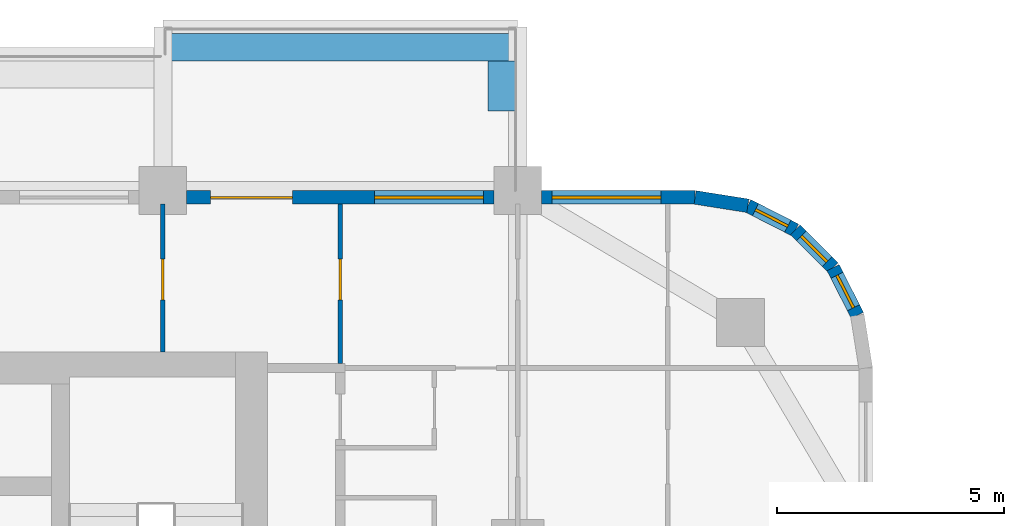
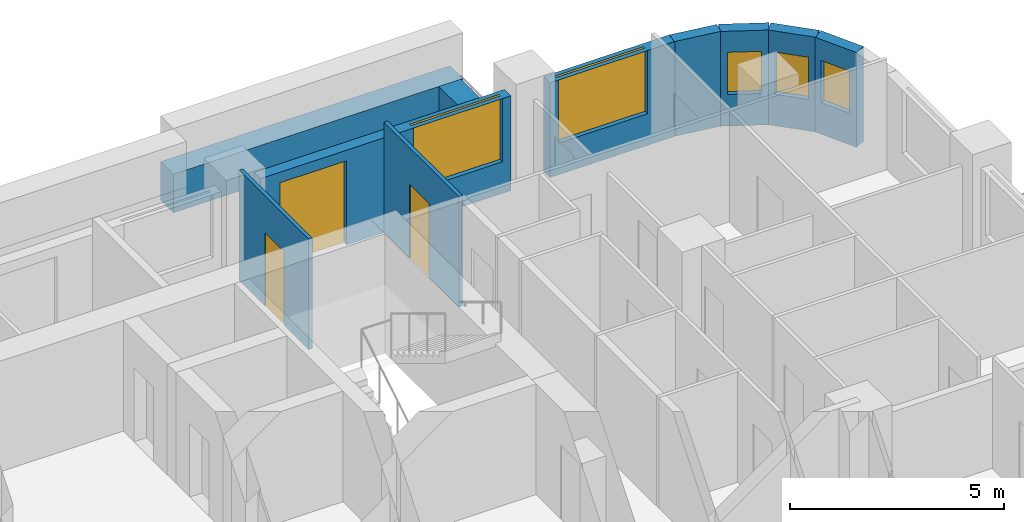
# One storey, part 14 of 18: 10 walls, 5 windows, 3 doors, 8 openings.
"""IFC4 building model written with IfcOpenShell, lengths in metres."""

from ifc_helpers import new_model, si_unit, direction, frame, frame_2d, origin, place, context, subcontext, project, spatial, rectangle, extrude, material, layer, layer_set, type_object, element, fill, save


model = new_model("IFC4")

# Units and contexts
model_context = context("Model", 3, precision=1e-05, world=origin(), true_north=direction((0.0, 1.0)))
body_context = subcontext(model_context, "Body", "Model", "MODEL_VIEW")
ifc_project = project(units=[si_unit("LENGTHUNIT", "METRE"), si_unit("AREAUNIT", "SQUARE_METRE"), si_unit("VOLUMEUNIT", "CUBIC_METRE"), si_unit("PLANEANGLEUNIT", "RADIAN"), si_unit("MASSUNIT", "GRAM", prefix="KILO")], contexts=[model_context])

# Site, building, storey
site_placement = place(None, origin())
site = spatial("IfcSite", under=ifc_project, at=site_placement, CompositionType="ELEMENT")
building_placement = place(site_placement, origin())
building = spatial("IfcBuilding", under=site, at=building_placement, Name="Ludao Terraces", CompositionType="ELEMENT")
storey_placement = place(building_placement, frame((0.0, 0.0, 29.699951171875)))
storey = spatial("IfcBuildingStorey", under=building, at=storey_placement, Name="L07", CompositionType="ELEMENT", Elevation=29.699951171875)

# Walls
ifc_material_1 = material(Name="Concrete C40", Category="concrete")
ifc_layer_1 = layer(ifc_material_1, 0.60009765625)
ifc_layer_set_1 = layer_set([ifc_layer_1], Name="ENV Planter trough 600")
wall_type_1 = type_object("IfcWallType", Name="ENV Planter trough 600", PredefinedType="USERDEFINED", material=ifc_layer_set_1)
wall_1_placement = place(storey_placement, frame((92.800048828125, 91.550048828125, 0.0), z_axis=(0.0, 0.0, 1.0), x_axis=(1.0, 0.0, 0.0)))
element("IfcWall", 1, at=wall_1_placement, inside=storey, type_object=wall_type_1, Name="PL-L07-N4", ObjectType="PLANTER", PredefinedType="USERDEFINED", context=body_context, shape_type="SweptSolid", body=[
    extrude(rectangle(XDim=7.800048828125, YDim=0.60009765625, at=frame_2d((3.89990234375, 0.0))), origin(), (0.0, 0.0, 1.0), 1.10009765625),
])
wall_2_placement = place(storey_placement, frame((100.25, 91.25, 0.0), z_axis=(0.0, 0.0, 1.0), x_axis=(0.0, -1.0, 0.0)))
element("IfcWall", 2, at=wall_2_placement, inside=storey, type_object=wall_type_1, Name="PL-L07-N4-SB", ObjectType="PLANTER", PredefinedType="USERDEFINED", context=body_context, shape_type="SweptSolid", body=[
    extrude(rectangle(XDim=1.10009765625, YDim=0.60009765625, at=frame_2d((0.550048828125, 0.0))), origin(), (0.0, 0.0, 1.0), 1.10009765625),
])

# Wall, openings, door, window
ifc_material_2 = material(Name="Granite cladding", Category="masonry")
ifc_layer_2 = layer(ifc_material_2, 0.0400390625, Category="stone")
ifc_material_3 = material(Name="Mineral wool")
ifc_layer_3 = layer(ifc_material_3, 0.06005859375)
ifc_layer_4 = layer(ifc_material_1, 0.199951171875, Category="concrete")
ifc_layer_set_2 = layer_set([ifc_layer_2, ifc_layer_3, ifc_layer_4], Name="ENV Stone-clad wall 300")
wall_type_2 = type_object("IfcWallType", Name="ENV Stone-clad wall 300", PredefinedType="SOLIDWALL", material=ifc_layer_set_2)
wall_3_placement = place(storey_placement, frame((93.324951171875, 88.25, 0.0), z_axis=(0.0, 0.0, 1.0), x_axis=(1.0, 0.0, 0.0)))
wall_3 = element("IfcWall", 3, at=wall_3_placement, inside=storey, type_object=wall_type_2, Name="EW-L07-N5", PredefinedType="SOLIDWALL", context=body_context, shape_type="SweptSolid", body=[
    extrude(rectangle(XDim=6.75, YDim=0.300048828125, at=frame_2d((3.375, 0.0))), origin(), (0.0, 0.0, 1.0), 2.699951171875),
])
opening_1_placement = place(wall_3_placement, frame((0.52490234375, 0.0, 0.0)))
opening_1 = element("IfcOpeningElement", 4, at=opening_1_placement, cuts=wall_3, Name="Opening BD", PredefinedType="OPENING", context=body_context, shape_type="SweptSolid", body=[
    extrude(rectangle(XDim=1.800048828125, YDim=2.39990234375, at=frame_2d((0.89990234375, 1.199951171875))), frame((0.0, 0.16015625, 0.0), z_axis=(0.0, -1.0, 0.0), x_axis=(1.0, 0.0, 0.0)), (0.0, 0.0, 1.0), 0.320068359375),
])
opening_2_placement = place(wall_3_placement, frame((4.125, 0.0, 0.89990234375)))
opening_2 = element("IfcOpeningElement", 5, at=opening_2_placement, cuts=wall_3, Name="Opening W1", PredefinedType="OPENING", context=body_context, shape_type="SweptSolid", body=[
    extrude(rectangle(XDim=2.39990234375, YDim=1.800048828125, at=frame_2d((1.199951171875, 0.89990234375))), frame((0.0, 0.16015625, 0.0), z_axis=(0.0, -1.0, 0.0), x_axis=(1.0, 0.0, 0.0)), (0.0, 0.0, 1.0), 0.320068359375),
])
ifc_material_4 = material(Name="Aluminium glazed door", Category="aluminium")
ifc_layer_5 = layer(ifc_material_4, 0.06005859375)
ifc_layer_set_3 = layer_set([ifc_layer_5], Name="ENV Balcony door BD 1800x2400")
door_type_1 = type_object("IfcDoorType", Name="ENV Balcony door BD 1800x2400", OperationType="DOUBLE_DOOR_SINGLE_SWING", PredefinedType="DOOR", material=ifc_layer_set_3)
door_1_placement = place(opening_1_placement, origin())
door_1 = element("IfcDoor", 6, at=door_1_placement, inside=storey, type_object=door_type_1, Name="BD-L07-N5-1", OperationType="DOUBLE_DOOR_SINGLE_SWING", OverallHeight=2.39990234375, OverallWidth=1.800048828125, PredefinedType="DOOR", context=body_context, shape_type="SweptSolid", body=[
    extrude(rectangle(XDim=1.800048828125, YDim=2.39990234375, at=frame_2d((0.89990234375, 1.199951171875))), frame((0.0, 0.02490234375, 0.0), z_axis=(0.0, -1.0, 0.0), x_axis=(1.0, 0.0, 0.0)), (0.0, 0.0, 1.0), 0.050048828125),
])
fill(opening_1, door_1)
ifc_material_5 = material(Name="Clear glass in aluminium frame", Category="aluminium")
ifc_layer_6 = layer(ifc_material_5, 0.06005859375)
ifc_layer_set_4 = layer_set([ifc_layer_6], Name="ENV Window W1 2400x1800")
window_type_1 = type_object("IfcWindowType", Name="ENV Window W1 2400x1800", PartitioningType="DOUBLE_PANEL_VERTICAL", PredefinedType="WINDOW", material=ifc_layer_set_4)
window_1_placement = place(opening_2_placement, origin())
window_1 = element("IfcWindow", 7, at=window_1_placement, inside=storey, type_object=window_type_1, Name="W-L07-N5-2", OverallHeight=1.800048828125, OverallWidth=2.39990234375, PartitioningType="DOUBLE_PANEL_VERTICAL", PredefinedType="WINDOW", context=body_context, shape_type="SweptSolid", body=[
    extrude(rectangle(XDim=2.39990234375, YDim=1.800048828125, at=frame_2d((1.199951171875, 0.89990234375))), frame((0.0, 0.030029296875, 0.0), z_axis=(0.0, -1.0, 0.0), x_axis=(1.0, 0.0, 0.0)), (0.0, 0.0, 1.0), 0.06005859375),
])
fill(opening_2, window_1)

# Wall, opening, window
wall_4_placement = place(storey_placement, frame((101.125, 88.25, 0.0), z_axis=(0.0, 0.0, 1.0), x_axis=(1.0, 0.0, 0.0)))
wall_4 = element("IfcWall", 8, at=wall_4_placement, inside=storey, type_object=wall_type_2, Name="EW-L07-N6", PredefinedType="SOLIDWALL", context=body_context, shape_type="SweptSolid", body=[
    extrude(rectangle(XDim=3.375, YDim=0.300048828125, at=frame_2d((1.6875, 0.0))), origin(), (0.0, 0.0, 1.0), 2.699951171875),
])
opening_3_placement = place(wall_4_placement, frame((0.22509765625, 0.0, 0.89990234375)))
opening_3 = element("IfcOpeningElement", 9, at=opening_3_placement, cuts=wall_4, Name="Opening W1", PredefinedType="OPENING", context=body_context, shape_type="SweptSolid", body=[
    extrude(rectangle(XDim=2.39990234375, YDim=1.800048828125, at=frame_2d((1.199951171875, 0.89990234375))), frame((0.0, 0.16015625, 0.0), z_axis=(0.0, -1.0, 0.0), x_axis=(1.0, 0.0, 0.0)), (0.0, 0.0, 1.0), 0.320068359375),
])
window_2_placement = place(opening_3_placement, origin())
window_2 = element("IfcWindow", 10, at=window_2_placement, inside=storey, type_object=window_type_1, Name="W-L07-N6-1", OverallHeight=1.800048828125, OverallWidth=2.39990234375, PartitioningType="DOUBLE_PANEL_VERTICAL", PredefinedType="WINDOW", context=body_context, shape_type="SweptSolid", body=[
    extrude(rectangle(XDim=2.39990234375, YDim=1.800048828125, at=frame_2d((1.199951171875, 0.89990234375))), frame((0.0, 0.030029296875, 0.0), z_axis=(0.0, -1.0, 0.0), x_axis=(1.0, 0.0, 0.0)), (0.0, 0.0, 1.0), 0.06005859375),
])
fill(opening_3, window_2)

wall_5_placement = place(storey_placement, frame((108.06640625, 85.65869140625, 0.0), z_axis=(0.0, 0.0, 1.0), x_axis=(-0.454025524128, 0.890988677504, 0.0)))
wall_5 = element("IfcWall", 11, at=wall_5_placement, inside=storey, type_object=wall_type_2, Name="EW-L07-NE2", PredefinedType="SOLIDWALL", context=body_context, shape_type="SweptSolid", body=[
    extrude(rectangle(XDim=1.17333984375, YDim=0.300048828125, at=frame_2d((0.586669921875, 0.0))), origin(), (0.0, 0.0, 1.0), 2.699951171875),
])
opening_4_placement = place(wall_5_placement, frame((0.1865234375, 0.0, 0.89990234375)))
opening_4 = element("IfcOpeningElement", 12, at=opening_4_placement, cuts=wall_5, Name="Opening W3", PredefinedType="OPENING", context=body_context, shape_type="SweptSolid", body=[
    extrude(rectangle(XDim=0.800048828125, YDim=1.199951171875, at=frame_2d((0.39990234375, 0.60009765625))), frame((0.0, 0.16015625, 0.0), z_axis=(0.0, -1.0, 0.0), x_axis=(1.0, 0.0, 0.0)), (0.0, 0.0, 1.0), 0.320068359375),
])
ifc_layer_7 = layer(ifc_material_5, 0.06005859375)
ifc_layer_set_5 = layer_set([ifc_layer_7], Name="ENV Window W3 800x1200")
window_type_2 = type_object("IfcWindowType", Name="ENV Window W3 800x1200", PartitioningType="SINGLE_PANEL", PredefinedType="WINDOW", material=ifc_layer_set_5)
window_3_placement = place(opening_4_placement, origin())
window_3 = element("IfcWindow", 13, at=window_3_placement, inside=storey, type_object=window_type_2, Name="W-L07-NE2", OverallHeight=1.199951171875, OverallWidth=0.800048828125, PartitioningType="SINGLE_PANEL", PredefinedType="WINDOW", context=body_context, shape_type="SweptSolid", body=[
    extrude(rectangle(XDim=0.800048828125, YDim=1.199951171875, at=frame_2d((0.39990234375, 0.60009765625))), frame((0.0, 0.030029296875, 0.0), z_axis=(0.0, -1.0, 0.0), x_axis=(1.0, 0.0, 0.0)), (0.0, 0.0, 1.0), 0.06005859375),
])
fill(opening_4, window_3)

wall_6_placement = place(storey_placement, frame((107.53369140625, 86.7041015625, 0.0), z_axis=(0.0, 0.0, 1.0), x_axis=(-0.707106781187, 0.707106781187, 0.0)))
wall_6 = element("IfcWall", 14, at=wall_6_placement, inside=storey, type_object=wall_type_2, Name="EW-L07-NE3", PredefinedType="SOLIDWALL", context=body_context, shape_type="SweptSolid", body=[
    extrude(rectangle(XDim=1.173095703125, YDim=0.300048828125, at=frame_2d((0.58642578125, 0.0))), origin(), (0.0, 0.0, 1.0), 2.699951171875),
])
opening_5_placement = place(wall_6_placement, frame((0.1865234375, 0.0, 0.89990234375)))
opening_5 = element("IfcOpeningElement", 15, at=opening_5_placement, cuts=wall_6, Name="Opening W3", PredefinedType="OPENING", context=body_context, shape_type="SweptSolid", body=[
    extrude(rectangle(XDim=0.800048828125, YDim=1.199951171875, at=frame_2d((0.39990234375, 0.60009765625))), frame((0.0, 0.16015625, 0.0), z_axis=(0.0, -1.0, 0.0), x_axis=(1.0, 0.0, 0.0)), (0.0, 0.0, 1.0), 0.320068359375),
])
window_4_placement = place(opening_5_placement, origin())
window_4 = element("IfcWindow", 16, at=window_4_placement, inside=storey, type_object=window_type_2, Name="W-L07-NE3", OverallHeight=1.199951171875, OverallWidth=0.800048828125, PartitioningType="SINGLE_PANEL", PredefinedType="WINDOW", context=body_context, shape_type="SweptSolid", body=[
    extrude(rectangle(XDim=0.800048828125, YDim=1.199951171875, at=frame_2d((0.39990234375, 0.60009765625))), frame((0.0, 0.030029296875, 0.0), z_axis=(0.0, -1.0, 0.0), x_axis=(1.0, 0.0, 0.0)), (0.0, 0.0, 1.0), 0.06005859375),
])
fill(opening_5, window_4)

wall_7_placement = place(storey_placement, frame((106.7041015625, 87.53369140625, 0.0), z_axis=(0.0, 0.0, 1.0), x_axis=(-0.890988677504, 0.454025524128, 0.0)))
wall_7 = element("IfcWall", 17, at=wall_7_placement, inside=storey, type_object=wall_type_2, Name="EW-L07-NE4", PredefinedType="SOLIDWALL", context=body_context, shape_type="SweptSolid", body=[
    extrude(rectangle(XDim=1.17333984375, YDim=0.300048828125, at=frame_2d((0.586669921875, 0.0))), origin(), (0.0, 0.0, 1.0), 2.699951171875),
])
opening_6_placement = place(wall_7_placement, frame((0.1865234375, 0.0, 0.89990234375)))
opening_6 = element("IfcOpeningElement", 18, at=opening_6_placement, cuts=wall_7, Name="Opening W3", PredefinedType="OPENING", context=body_context, shape_type="SweptSolid", body=[
    extrude(rectangle(XDim=0.800048828125, YDim=1.199951171875, at=frame_2d((0.39990234375, 0.60009765625))), frame((0.0, 0.16015625, 0.0), z_axis=(0.0, -1.0, 0.0), x_axis=(1.0, 0.0, 0.0)), (0.0, 0.0, 1.0), 0.320068359375),
])
window_5_placement = place(opening_6_placement, origin())
window_5 = element("IfcWindow", 19, at=window_5_placement, inside=storey, type_object=window_type_2, Name="W-L07-NE4", OverallHeight=1.199951171875, OverallWidth=0.800048828125, PartitioningType="SINGLE_PANEL", PredefinedType="WINDOW", context=body_context, shape_type="SweptSolid", body=[
    extrude(rectangle(XDim=0.800048828125, YDim=1.199951171875, at=frame_2d((0.39990234375, 0.60009765625))), frame((0.0, 0.030029296875, 0.0), z_axis=(0.0, -1.0, 0.0), x_axis=(1.0, 0.0, 0.0)), (0.0, 0.0, 1.0), 0.06005859375),
])
fill(opening_6, window_5)

# Wall
wall_8_placement = place(storey_placement, frame((105.65869140625, 88.06640625, 0.0), z_axis=(0.0, 0.0, 1.0), x_axis=(-0.987678452879, 0.156496880861, 0.0)))
element("IfcWall", 20, at=wall_8_placement, inside=storey, type_object=wall_type_2, Name="EW-L07-NE5", PredefinedType="SOLIDWALL", context=body_context, shape_type="SweptSolid", body=[
    extrude(rectangle(XDim=1.173095703125, YDim=0.300048828125, at=frame_2d((0.58642578125, 0.0))), origin(), (0.0, 0.0, 1.0), 2.699951171875),
])

# Wall, opening, door
ifc_material_6 = material(Name="Gypsum plasterboard", Category="gypsum")
ifc_layer_8 = layer(ifc_material_6, 0.012451171875, Category="gypsum")
ifc_layer_9 = layer(ifc_material_3, 0.06005859375, Name="insulation")
ifc_material_7 = material(Name="Steel Q235", Category="steel")
ifc_layer_10 = layer(ifc_material_7, 0.014892578125, Name="stud")
ifc_layer_11 = layer(ifc_material_6, 0.012451171875, Category="gypsum")
ifc_layer_set_6 = layer_set([ifc_layer_8, ifc_layer_9, ifc_layer_10, ifc_layer_11], Name="INT Partition 100")
wall_type_3 = type_object("IfcWallType", Name="INT Partition 100", PredefinedType="PARTITIONING", material=ifc_layer_set_6)
wall_9_placement = place(storey_placement, frame((92.800048828125, 84.85009765625, 0.0), z_axis=(0.0, 0.0, 1.0), x_axis=(0.0, 1.0, 0.0)))
wall_9 = element("IfcWall", 21, at=wall_9_placement, inside=storey, type_object=wall_type_3, Name="PW-L07-PW113", PredefinedType="PARTITIONING", context=body_context, shape_type="SweptSolid", body=[
    extrude(rectangle(XDim=3.25, YDim=0.10009765625, at=frame_2d((1.625, 0.0))), origin(), (0.0, 0.0, 1.0), 3.150146484375),
])
opening_7_placement = place(wall_9_placement, frame((1.14990234375, 0.0, 0.0)))
opening_7 = element("IfcOpeningElement", 22, at=opening_7_placement, cuts=wall_9, Name="Opening R02-163", PredefinedType="OPENING", context=body_context, shape_type="SweptSolid", body=[
    extrude(rectangle(XDim=0.89990234375, YDim=2.10009765625, at=frame_2d((0.449951171875, 1.050048828125))), frame((0.0, 0.06005859375, 0.0), z_axis=(0.0, -1.0, 0.0), x_axis=(1.0, 0.0, 0.0)), (0.0, 0.0, 1.0), 0.1201171875),
])
ifc_material_8 = material(Name="Timber door leaf", Category="wood")
door_type_2 = type_object("IfcDoorType", Name="INT Room door 900", OperationType="SINGLE_SWING_LEFT", PredefinedType="DOOR", material=ifc_material_8)
door_2_placement = place(opening_7_placement, origin())
door_2 = element("IfcDoor", 23, at=door_2_placement, inside=storey, type_object=door_type_2, Name="DOOR 163", OperationType="SINGLE_SWING_LEFT", OverallHeight=2.10009765625, OverallWidth=0.89990234375, PredefinedType="DOOR", context=body_context, shape_type="SweptSolid", body=[
    extrude(rectangle(XDim=0.89990234375, YDim=2.10009765625, at=frame_2d((0.449951171875, 1.050048828125))), frame((0.0, 0.02490234375, 0.0), z_axis=(0.0, -1.0, 0.0), x_axis=(1.0, 0.0, 0.0)), (0.0, 0.0, 1.0), 0.050048828125),
])
fill(opening_7, door_2)

wall_10_placement = place(storey_placement, frame((96.699951171875, 84.60009765625, 0.0), z_axis=(0.0, 0.0, 1.0), x_axis=(0.0, 1.0, 0.0)))
wall_10 = element("IfcWall", 24, at=wall_10_placement, inside=storey, type_object=wall_type_3, Name="PW-L07-PW117", PredefinedType="PARTITIONING", context=body_context, shape_type="SweptSolid", body=[
    extrude(rectangle(XDim=3.5, YDim=0.10009765625, at=frame_2d((1.75, 0.0))), origin(), (0.0, 0.0, 1.0), 3.150146484375),
])
opening_8_placement = place(wall_10_placement, frame((1.39990234375, 0.0, 0.0)))
opening_8 = element("IfcOpeningElement", 25, at=opening_8_placement, cuts=wall_10, Name="Opening R02-164", PredefinedType="OPENING", context=body_context, shape_type="SweptSolid", body=[
    extrude(rectangle(XDim=0.89990234375, YDim=2.10009765625, at=frame_2d((0.449951171875, 1.050048828125))), frame((0.0, 0.06005859375, 0.0), z_axis=(0.0, -1.0, 0.0), x_axis=(1.0, 0.0, 0.0)), (0.0, 0.0, 1.0), 0.1201171875),
])
door_3_placement = place(opening_8_placement, origin())
door_3 = element("IfcDoor", 26, at=door_3_placement, inside=storey, type_object=door_type_2, Name="DOOR 164", OperationType="SINGLE_SWING_RIGHT", OverallHeight=2.10009765625, OverallWidth=0.89990234375, PredefinedType="DOOR", context=body_context, shape_type="SweptSolid", body=[
    extrude(rectangle(XDim=0.89990234375, YDim=2.10009765625, at=frame_2d((0.449951171875, 1.050048828125))), frame((0.0, 0.02490234375, 0.0), z_axis=(0.0, -1.0, 0.0), x_axis=(1.0, 0.0, 0.0)), (0.0, 0.0, 1.0), 0.050048828125),
])
fill(opening_8, door_3)

save(model, "model.ifc")
